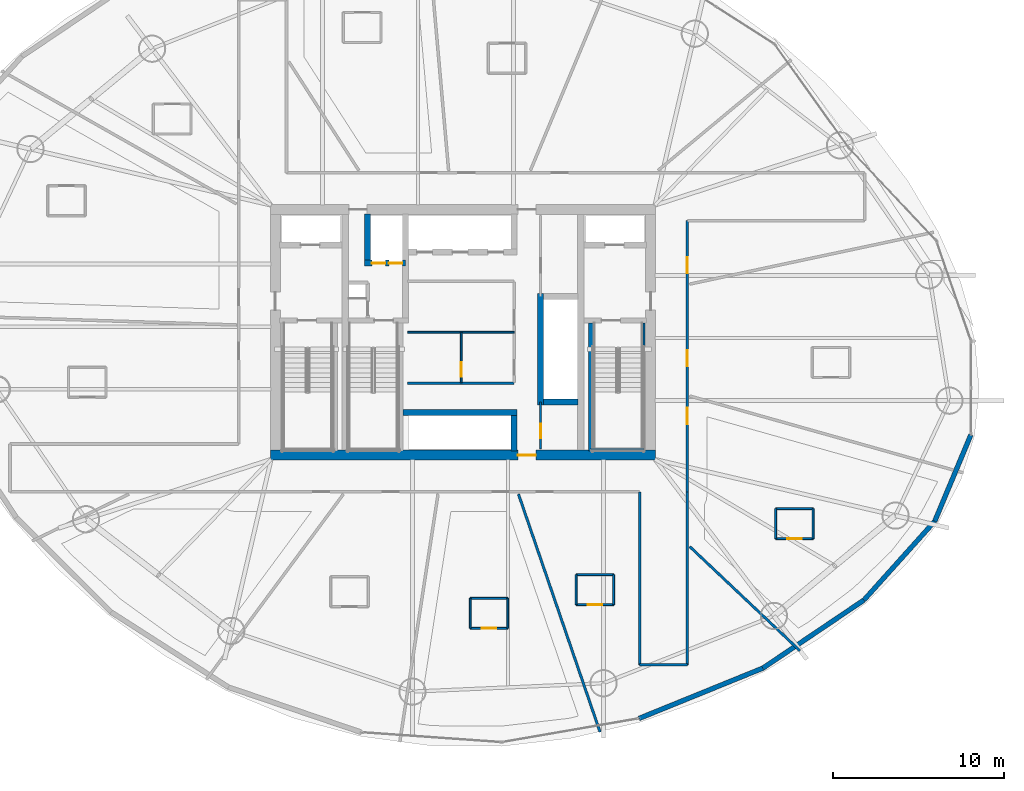
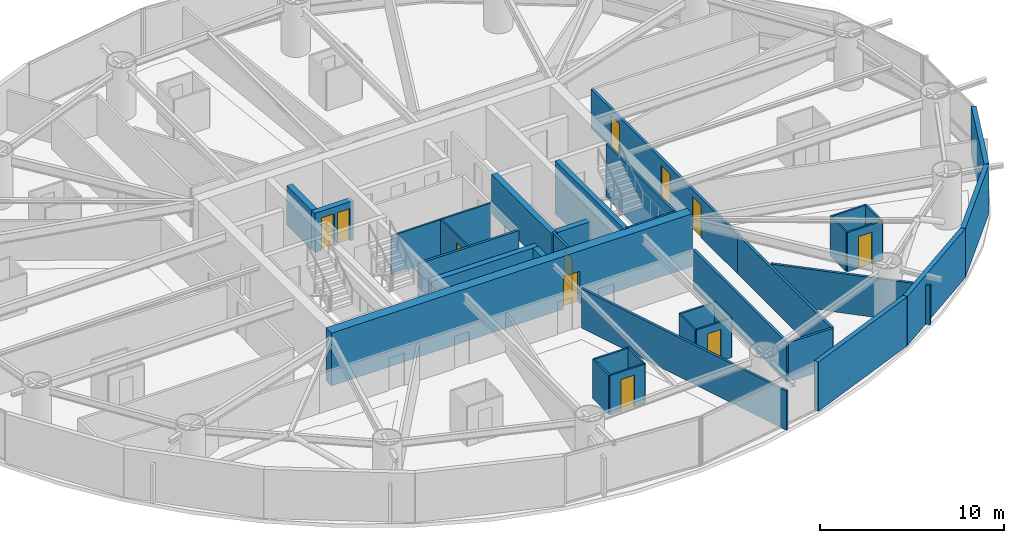
# One storey, part 21 of 27: 36 walls, 11 doors, 11 openings.
"""IFC4 building model written with IfcOpenShell, lengths in metres."""

from ifc_helpers import new_model, si_unit, direction, frame, frame_2d, origin, place, context, subcontext, project, spatial, rectangle, extrude, material, layer, layer_set, type_object, element, fill, save


model = new_model("IFC4")

# Units and contexts
model_context = context("Model", 3, precision=1e-05, world=origin(), true_north=direction((0.0, 1.0)))
body_context = subcontext(model_context, "Body", "Model", "MODEL_VIEW")
ifc_project = project(units=[si_unit("LENGTHUNIT", "METRE"), si_unit("AREAUNIT", "SQUARE_METRE"), si_unit("VOLUMEUNIT", "CUBIC_METRE"), si_unit("PLANEANGLEUNIT", "RADIAN"), si_unit("MASSUNIT", "GRAM", prefix="KILO")], contexts=[model_context])

# Site, building, storey
site_placement = place(None, origin())
site = spatial("IfcSite", under=ifc_project, at=site_placement, CompositionType="ELEMENT")
building_placement = place(site_placement, origin())
building = spatial("IfcBuilding", under=site, at=building_placement, Name="Bramvorn Convention Spire", CompositionType="ELEMENT")
storey_placement = place(building_placement, frame((0.0, 0.0, 79.89990234375)))
storey = spatial("IfcBuildingStorey", under=building, at=storey_placement, Name="L18", CompositionType="ELEMENT", Elevation=79.89990234375)

# Wall, opening, door
ifc_material_1 = material(Name="Concrete C60/70", Category="concrete")
ifc_layer_1 = layer(ifc_material_1, 0.60009765625)
ifc_layer_set_1 = layer_set([ifc_layer_1], Name="Concrete C60/70 - WL-CORE-600")
wall_type_1 = type_object("IfcWallType", Name="WL-CORE-600", PredefinedType="SHEAR", material=ifc_layer_set_1)
wall_1_placement = place(storey_placement, frame((26.699951171875, 18.800048828125, 0.0), z_axis=(0.0, 0.0, 1.0), x_axis=(1.0, 0.0, 0.0)))
wall_1 = element("IfcWall", 1, at=wall_1_placement, inside=storey, type_object=wall_type_1, Name="L18 South RC core shear wall", PredefinedType="SHEAR", context=body_context, shape_type="SweptSolid", body=[
    extrude(rectangle(XDim=22.60009765625, YDim=0.60009765625, at=frame_2d((11.300048828125, 0.0))), origin(), (0.0, 0.0, 1.0), 3.5),
])
opening_1_placement = place(wall_1_placement, frame((14.52001953125, 0.0, 0.0)))
opening_1 = element("IfcOpeningElement", 2, at=opening_1_placement, cuts=wall_1, Name="Opening DL-105", PredefinedType="OPENING", context=body_context, shape_type="SweptSolid", body=[
    extrude(rectangle(XDim=1.050048828125, YDim=2.14990234375, at=frame_2d((0.52490234375, 1.074951171875))), frame((0.0, 0.31005859375, 0.0), z_axis=(0.0, -1.0, 0.0), x_axis=(1.0, 0.0, 0.0)), (0.0, 0.0, 1.0), 0.6201171875),
])
ifc_material_2 = material(Name="Smoke-Sealed Fire Lobby Timber-Core Door", Category="wood")
door_type_1 = type_object("IfcDoorType", Name="DR-LOBBY-1050", OperationType="NOTDEFINED", PredefinedType="DOOR", material=ifc_material_2)
door_1_placement = place(opening_1_placement, origin())
door_1 = element("IfcDoor", 3, at=door_1_placement, inside=storey, type_object=door_type_1, Name="L18 South Lift Lobby fire door", OperationType="SINGLE_SWING_RIGHT", OverallHeight=2.14990234375, OverallWidth=1.050048828125, PredefinedType="DOOR", context=body_context, shape_type="SweptSolid", body=[
    extrude(rectangle(XDim=1.050048828125, YDim=2.14990234375, at=frame_2d((0.52490234375, 1.074951171875))), frame((0.0, 0.02490234375, 0.0), z_axis=(0.0, -1.0, 0.0), x_axis=(1.0, 0.0, 0.0)), (0.0, 0.0, 1.0), 0.050048828125),
])
fill(opening_1, door_1)

# Wall, openings, doors
ifc_material_3 = material(Name="Concrete C50/60", Category="concrete")
ifc_layer_2 = layer(ifc_material_3, 0.35009765625)
ifc_layer_set_2 = layer_set([ifc_layer_2], Name="Concrete C50/60 - WL-CORE-INT-350")
wall_type_2 = type_object("IfcWallType", Name="WL-CORE-INT-350", PredefinedType="SHEAR", material=ifc_layer_set_2)
wall_2_placement = place(storey_placement, frame((32.22998046875, 30.050048828125, 0.0), z_axis=(0.0, 0.0, 1.0), x_axis=(1.0, 0.0, 0.0)))
wall_2 = element("IfcWall", 4, at=wall_2_placement, inside=storey, type_object=wall_type_2, Name="L18 SV1/SV2 shaft front wall", PredefinedType="SHEAR", context=body_context, shape_type="SweptSolid", body=[
    extrude(rectangle(XDim=2.409912109375, YDim=0.35009765625, at=frame_2d((1.205078125, 0.0))), origin(), (0.0, 0.0, 1.0), 2.60009765625),
])
opening_2_placement = place(wall_2_placement, frame((0.419921875, 0.0, 0.0)))
opening_2 = element("IfcOpeningElement", 5, at=opening_2_placement, cuts=wall_2, Name="Opening LD-080", PredefinedType="OPENING", context=body_context, shape_type="SweptSolid", body=[
    extrude(rectangle(XDim=0.800048828125, YDim=2.14990234375, at=frame_2d((0.39990234375, 1.074951171875))), frame((0.0, 0.18505859375, 0.0), z_axis=(0.0, -1.0, 0.0), x_axis=(1.0, 0.0, 0.0)), (0.0, 0.0, 1.0), 0.3701171875),
])
opening_3_placement = place(wall_2_placement, frame((1.419921875, 0.0, 0.0)))
opening_3 = element("IfcOpeningElement", 6, at=opening_3_placement, cuts=wall_2, Name="Opening LD-080", PredefinedType="OPENING", context=body_context, shape_type="SweptSolid", body=[
    extrude(rectangle(XDim=0.800048828125, YDim=2.14990234375, at=frame_2d((0.39990234375, 1.074951171875))), frame((0.0, 0.18505859375, 0.0), z_axis=(0.0, -1.0, 0.0), x_axis=(1.0, 0.0, 0.0)), (0.0, 0.0, 1.0), 0.3701171875),
])
ifc_material_4 = material(Name="Service Lift Bi-Parting Landing Door", Category="steel")
door_type_2 = type_object("IfcDoorType", Name="DR-LIFT-LD-800", OperationType="NOTDEFINED", PredefinedType="DOOR", material=ifc_material_4)
door_2_placement = place(opening_2_placement, origin())
door_2 = element("IfcDoor", 7, at=door_2_placement, inside=storey, type_object=door_type_2, Name="L18 Lift SV1 Sliding Landing Door", OperationType="SLIDING_TO_LEFT", OverallHeight=2.14990234375, OverallWidth=0.800048828125, PredefinedType="DOOR", context=body_context, shape_type="SweptSolid", body=[
    extrude(rectangle(XDim=0.800048828125, YDim=2.14990234375, at=frame_2d((0.39990234375, 1.074951171875))), frame((0.0, 0.02490234375, 0.0), z_axis=(0.0, -1.0, 0.0), x_axis=(1.0, 0.0, 0.0)), (0.0, 0.0, 1.0), 0.050048828125),
])
fill(opening_2, door_2)
door_3_placement = place(opening_3_placement, origin())
door_3 = element("IfcDoor", 8, at=door_3_placement, inside=storey, type_object=door_type_2, Name="L18 Lift SV2 Sliding Landing Door", OperationType="SLIDING_TO_LEFT", OverallHeight=2.14990234375, OverallWidth=0.800048828125, PredefinedType="DOOR", context=body_context, shape_type="SweptSolid", body=[
    extrude(rectangle(XDim=0.800048828125, YDim=2.14990234375, at=frame_2d((0.39990234375, 1.074951171875))), frame((0.0, 0.02490234375, 0.0), z_axis=(0.0, -1.0, 0.0), x_axis=(1.0, 0.0, 0.0)), (0.0, 0.0, 1.0), 0.050048828125),
])
fill(opening_3, door_3)

# Walls
wall_3_placement = place(storey_placement, frame((32.39990234375, 30.219970703125, 0.0), z_axis=(0.0, 0.0, 1.0), x_axis=(0.0, 1.0, 0.0)))
element("IfcWall", 9, at=wall_3_placement, inside=storey, type_object=wall_type_2, Name="L18 SV1 west hoistway wall", PredefinedType="SHEAR", context=body_context, shape_type="SweptSolid", body=[
    extrude(rectangle(XDim=2.72998046875, YDim=0.35009765625, at=frame_2d((1.364990234375, 0.0))), origin(), (0.0, 0.0, 1.0), 2.60009765625),
])
wall_4_placement = place(storey_placement, frame((42.550048828125, 21.72998046875, 0.0), z_axis=(0.0, 0.0, 1.0), x_axis=(0.0, 1.0, 0.0)))
element("IfcWall", 10, at=wall_4_placement, inside=storey, type_object=wall_type_2, Name="L18 High-rise lift bank west wall", PredefinedType="SHEAR", context=body_context, shape_type="SweptSolid", body=[
    extrude(rectangle(XDim=6.5400390625, YDim=0.35009765625, at=frame_2d((3.27001953125, 0.0))), origin(), (0.0, 0.0, 1.0), 2.60009765625),
])
wall_5_placement = place(storey_placement, frame((42.719970703125, 21.89990234375, 0.0), z_axis=(0.0, 0.0, 1.0), x_axis=(1.0, 0.0, 0.0)))
element("IfcWall", 11, at=wall_5_placement, inside=storey, type_object=wall_type_2, Name="L18 High-rise lift bank south wall", PredefinedType="SHEAR", context=body_context, shape_type="SweptSolid", body=[
    extrude(rectangle(XDim=2.030029296875, YDim=0.35009765625, at=frame_2d((1.01513671875, 0.0))), origin(), (0.0, 0.0, 1.0), 2.60009765625),
])
wall_6_placement = place(storey_placement, frame((34.489990234375, 21.300048828125, 0.0), z_axis=(0.0, 0.0, 1.0), x_axis=(1.0, 0.0, 0.0)))
element("IfcWall", 12, at=wall_6_placement, inside=storey, type_object=wall_type_2, Name="L18 Mid-rise bank north landing wall", PredefinedType="SHEAR", context=body_context, shape_type="SweptSolid", body=[
    extrude(rectangle(XDim=6.679931640625, YDim=0.35009765625, at=frame_2d((3.33984375, 0.0))), origin(), (0.0, 0.0, 1.0), 2.60009765625),
])
wall_7_placement = place(storey_placement, frame((41.0, 19.050048828125, 0.0), z_axis=(0.0, 0.0, 1.0), x_axis=(0.0, 1.0, 0.0)))
element("IfcWall", 13, at=wall_7_placement, inside=storey, type_object=wall_type_2, Name="L18 Mid-rise bank east cheek wall", PredefinedType="SHEAR", context=body_context, shape_type="SweptSolid", body=[
    extrude(rectangle(XDim=2.079833984375, YDim=0.35009765625, at=frame_2d((1.0400390625, 0.0))), origin(), (0.0, 0.0, 1.0), 2.60009765625),
])
ifc_material_5 = material(Name="Precast Concrete C40/50 with Bronze Terracotta Rainscreen", Category="masonry")
ifc_layer_3 = layer(ifc_material_5, 0.300048828125)
ifc_layer_set_3 = layer_set([ifc_layer_3], Name="Precast Concrete C40/50 with Bronze Terracotta Rainscreen - WL-EXT-BRONZE-300")
wall_type_3 = type_object("IfcWallType", Name="WL-EXT-BRONZE-300", PredefinedType="SOLIDWALL", material=ifc_layer_set_3)
wall_8_placement = place(storey_placement, frame((55.585693359375, 6.310546875, 0.0), z_axis=(0.0, 0.0, 1.0), x_axis=(-0.926415021548, -0.376503928067, 0.0)))
element("IfcWall", 14, at=wall_8_placement, inside=storey, type_object=wall_type_3, Name="L18 expressed bronze Gothic lancet pier wall 21", PredefinedType="SOLIDWALL", context=body_context, shape_type="SweptSolid", body=[
    extrude(rectangle(XDim=7.8447265625, YDim=0.280029296875, at=frame_2d((3.92236328125, 0.0))), origin(), (0.0, 0.0, 1.0), 3.25),
])
wall_9_placement = place(storey_placement, frame((61.510009765625, 10.301025390625, 0.0), z_axis=(0.0, 0.0, 1.0), x_axis=(-0.829395880277, -0.558661322967, 0.0)))
element("IfcWall", 15, at=wall_9_placement, inside=storey, type_object=wall_type_3, Name="L18 expressed bronze Gothic lancet pier wall 22", PredefinedType="SOLIDWALL", context=body_context, shape_type="SweptSolid", body=[
    extrude(rectangle(XDim=7.142822265625, YDim=0.280029296875, at=frame_2d((3.5712890625, 0.0))), origin(), (0.0, 0.0, 1.0), 3.25),
])
wall_10_placement = place(storey_placement, frame((65.66015625, 14.923095703125, 0.0), z_axis=(0.0, 0.0, 1.0), x_axis=(-0.668100062794, -0.744071438838, 0.0)))
element("IfcWall", 16, at=wall_10_placement, inside=storey, type_object=wall_type_3, Name="L18 expressed bronze Gothic lancet pier wall 23", PredefinedType="SOLIDWALL", context=body_context, shape_type="SweptSolid", body=[
    extrude(rectangle(XDim=6.2119140625, YDim=0.280029296875, at=frame_2d((3.10595703125, 0.0))), origin(), (0.0, 0.0, 1.0), 3.25),
])
wall_11_placement = place(storey_placement, frame((67.780517578125, 19.9951171875, 0.0), z_axis=(0.0, 0.0, 1.0), x_axis=(-0.385703037269, -0.922622982069, 0.0)))
element("IfcWall", 17, at=wall_11_placement, inside=storey, type_object=wall_type_3, Name="L18 expressed bronze Gothic lancet pier wall 24", PredefinedType="SOLIDWALL", context=body_context, shape_type="SweptSolid", body=[
    extrude(rectangle(XDim=5.497314453125, YDim=0.280029296875, at=frame_2d((2.74853515625, 0.0))), origin(), (0.0, 0.0, 1.0), 3.25),
])
ifc_material_6 = material(Name="Lightweight En-Suite & Wet-Wall Partition", Category="gypsum")
ifc_layer_4 = layer(ifc_material_6, 0.110107421875)
ifc_layer_set_4 = layer_set([ifc_layer_4], Name="Lightweight En-Suite & Wet-Wall Partition - WL-PART-110")
wall_type_4 = type_object("IfcWallType", Name="WL-PART-110", PredefinedType="PARTITIONING", material=ifc_layer_set_4)
wall_12_placement = place(storey_placement, frame((34.75, 26.0, 0.0), z_axis=(0.0, 0.0, 1.0), x_axis=(1.0, 0.0, 0.0)))
element("IfcWall", 18, at=wall_12_placement, inside=storey, type_object=wall_type_4, Name="L18 KA horizontal core divider", PredefinedType="PARTITIONING", context=body_context, shape_type="SweptSolid", body=[
    extrude(rectangle(XDim=6.25, YDim=0.110107421875, at=frame_2d((3.125, 0.0))), origin(), (0.0, 0.0, 1.0), 2.60009765625),
])

# Wall, opening, door
wall_13_placement = place(storey_placement, frame((37.89990234375, 23.050048828125, 0.0), z_axis=(0.0, 0.0, 1.0), x_axis=(0.0, 1.0, 0.0)))
wall_13 = element("IfcWall", 19, at=wall_13_placement, inside=storey, type_object=wall_type_4, Name="L18 KA restroom subwall", PredefinedType="PARTITIONING", context=body_context, shape_type="SweptSolid", body=[
    extrude(rectangle(XDim=2.949951171875, YDim=0.110107421875, at=frame_2d((1.47509765625, 0.0))), origin(), (0.0, 0.0, 1.0), 2.60009765625),
])
opening_4_placement = place(wall_13_placement, frame((0.35009765625, 0.0, 0.0)))
opening_4 = element("IfcOpeningElement", 20, at=opening_4_placement, cuts=wall_13, Name="Opening DC-085", PredefinedType="OPENING", context=body_context, shape_type="SweptSolid", body=[
    extrude(rectangle(XDim=0.85009765625, YDim=2.10009765625, at=frame_2d((0.425048828125, 1.050048828125))), frame((0.0, 0.06494140625, 0.0), z_axis=(0.0, -1.0, 0.0), x_axis=(1.0, 0.0, 0.0)), (0.0, 0.0, 1.0), 0.130126953125),
])
ifc_material_7 = material(Name="Fire-Rated Core Washroom & IDF Door", Category="wood")
door_type_3 = type_object("IfcDoorType", Name="DR-CORE-850", OperationType="NOTDEFINED", PredefinedType="DOOR", material=ifc_material_7)
door_4_placement = place(opening_4_placement, origin())
door_4 = element("IfcDoor", 21, at=door_4_placement, inside=storey, type_object=door_type_3, Name="L18 Core IT Closet door", OperationType="SINGLE_SWING_LEFT", OverallHeight=2.10009765625, OverallWidth=0.85009765625, PredefinedType="DOOR", context=body_context, shape_type="SweptSolid", body=[
    extrude(rectangle(XDim=0.85009765625, YDim=2.10009765625, at=frame_2d((0.425048828125, 1.050048828125))), frame((0.0, 0.02490234375, 0.0), z_axis=(0.0, -1.0, 0.0), x_axis=(1.0, 0.0, 0.0)), (0.0, 0.0, 1.0), 0.050048828125),
])
fill(opening_4, door_4)

wall_14_placement = place(storey_placement, frame((38.426513671875, 8.6416015625, 0.0), z_axis=(0.0, 0.0, 1.0), x_axis=(1.0, 0.0, 0.0)))
wall_14 = element("IfcWall", 22, at=wall_14_placement, inside=storey, type_object=wall_type_4, Name="Hotel Suite 1810 en-suite south wall", PredefinedType="PARTITIONING", context=body_context, shape_type="SweptSolid", body=[
    extrude(rectangle(XDim=2.199951171875, YDim=0.110107421875, at=frame_2d((1.10009765625, 0.0))), origin(), (0.0, 0.0, 1.0), 2.60009765625),
])
opening_5_placement = place(wall_14_placement, frame((0.679931640625, 0.0, 0.0)))
opening_5 = element("IfcOpeningElement", 23, at=opening_5_placement, cuts=wall_14, Name="Opening DI-085", PredefinedType="OPENING", context=body_context, shape_type="SweptSolid", body=[
    extrude(rectangle(XDim=0.85009765625, YDim=2.10009765625, at=frame_2d((0.425048828125, 1.050048828125))), frame((0.0, 0.06494140625, 0.0), z_axis=(0.0, -1.0, 0.0), x_axis=(1.0, 0.0, 0.0)), (0.0, 0.0, 1.0), 0.130126953125),
])
ifc_material_8 = material(Name="En-Suite & Restroom Privacy Door", Category="wood")
door_type_4 = type_object("IfcDoorType", Name="DR-INT-850", OperationType="NOTDEFINED", PredefinedType="DOOR", material=ifc_material_8)
door_5_placement = place(opening_5_placement, origin())
door_5 = element("IfcDoor", 24, at=door_5_placement, inside=storey, type_object=door_type_4, Name="Hotel Suite 1810 En-Suite Bathroom door", OperationType="SINGLE_SWING_LEFT", OverallHeight=2.10009765625, OverallWidth=0.85009765625, PredefinedType="DOOR", context=body_context, shape_type="SweptSolid", body=[
    extrude(rectangle(XDim=0.85009765625, YDim=2.10009765625, at=frame_2d((0.425048828125, 1.050048828125))), frame((0.0, 0.02490234375, 0.0), z_axis=(0.0, -1.0, 0.0), x_axis=(1.0, 0.0, 0.0)), (0.0, 0.0, 1.0), 0.050048828125),
])
fill(opening_5, door_5)

# Walls
wall_15_placement = place(storey_placement, frame((38.426513671875, 10.401611328125, 0.0), z_axis=(0.0, 0.0, 1.0), x_axis=(1.0, 0.0, 0.0)))
element("IfcWall", 25, at=wall_15_placement, inside=storey, type_object=wall_type_4, Name="Hotel Suite 1810 en-suite north wall", PredefinedType="PARTITIONING", context=body_context, shape_type="SweptSolid", body=[
    extrude(rectangle(XDim=2.199951171875, YDim=0.110107421875, at=frame_2d((1.10009765625, 0.0))), origin(), (0.0, 0.0, 1.0), 2.60009765625),
])
for number, where, z_axis, x_axis, name in (
    (26, (38.426513671875, 8.6416015625, 0.0), (0.0, 0.0, 1.0), (0.0, 1.0, 0.0), "Hotel Suite 1810 en-suite west wall"),
    (27, (40.62646484375, 8.6416015625, 0.0), (0.0, 0.0, 1.0), (0.0, 1.0, 0.0), "Hotel Suite 1810 en-suite east wall"),
):
    element("IfcWall", number, at=place(storey_placement, frame(where, z_axis=z_axis, x_axis=x_axis)), inside=storey, type_object=wall_type_4, Name=name, PredefinedType="PARTITIONING", context=body_context, shape_type="SweptSolid", body=[
        extrude(rectangle(XDim=1.760009765625, YDim=0.110107421875, at=frame_2d((0.8798828125, 0.0))), origin(), (0.0, 0.0, 1.0), 2.60009765625),
    ])

# Wall, opening, door
wall_16_placement = place(storey_placement, frame((44.635009765625, 10.034912109375, 0.0), z_axis=(0.0, 0.0, 1.0), x_axis=(1.0, 0.0, 0.0)))
wall_16 = element("IfcWall", 28, at=wall_16_placement, inside=storey, type_object=wall_type_4, Name="Hotel Suite 1811 en-suite south wall", PredefinedType="PARTITIONING", context=body_context, shape_type="SweptSolid", body=[
    extrude(rectangle(XDim=2.199951171875, YDim=0.110107421875, at=frame_2d((1.10009765625, 0.0))), origin(), (0.0, 0.0, 1.0), 2.60009765625),
])
opening_6_placement = place(wall_16_placement, frame((0.679931640625, 0.0, 0.0)))
opening_6 = element("IfcOpeningElement", 29, at=opening_6_placement, cuts=wall_16, Name="Opening DI-085", PredefinedType="OPENING", context=body_context, shape_type="SweptSolid", body=[
    extrude(rectangle(XDim=0.85009765625, YDim=2.10009765625, at=frame_2d((0.425048828125, 1.050048828125))), frame((0.0, 0.06494140625, 0.0), z_axis=(0.0, -1.0, 0.0), x_axis=(1.0, 0.0, 0.0)), (0.0, 0.0, 1.0), 0.130126953125),
])
door_6_placement = place(opening_6_placement, origin())
door_6 = element("IfcDoor", 30, at=door_6_placement, inside=storey, type_object=door_type_4, Name="Hotel Suite 1811 En-Suite Bathroom door", OperationType="SINGLE_SWING_LEFT", OverallHeight=2.10009765625, OverallWidth=0.85009765625, PredefinedType="DOOR", context=body_context, shape_type="SweptSolid", body=[
    extrude(rectangle(XDim=0.85009765625, YDim=2.10009765625, at=frame_2d((0.425048828125, 1.050048828125))), frame((0.0, 0.02490234375, 0.0), z_axis=(0.0, -1.0, 0.0), x_axis=(1.0, 0.0, 0.0)), (0.0, 0.0, 1.0), 0.050048828125),
])
fill(opening_6, door_6)

# Walls
wall_17_placement = place(storey_placement, frame((44.635009765625, 11.794921875, 0.0), z_axis=(0.0, 0.0, 1.0), x_axis=(1.0, 0.0, 0.0)))
element("IfcWall", 31, at=wall_17_placement, inside=storey, type_object=wall_type_4, Name="Hotel Suite 1811 en-suite north wall", PredefinedType="PARTITIONING", context=body_context, shape_type="SweptSolid", body=[
    extrude(rectangle(XDim=2.199951171875, YDim=0.110107421875, at=frame_2d((1.10009765625, 0.0))), origin(), (0.0, 0.0, 1.0), 2.60009765625),
])
for number, where, z_axis, x_axis, name in (
    (32, (44.635009765625, 10.034912109375, 0.0), (0.0, 0.0, 1.0), (0.0, 1.0, 0.0), "Hotel Suite 1811 en-suite west wall"),
    (33, (46.8349609375, 10.034912109375, 0.0), (0.0, 0.0, 1.0), (0.0, 1.0, 0.0), "Hotel Suite 1811 en-suite east wall"),
):
    element("IfcWall", number, at=place(storey_placement, frame(where, z_axis=z_axis, x_axis=x_axis)), inside=storey, type_object=wall_type_4, Name=name, PredefinedType="PARTITIONING", context=body_context, shape_type="SweptSolid", body=[
        extrude(rectangle(XDim=1.760009765625, YDim=0.110107421875, at=frame_2d((0.8798828125, 0.0))), origin(), (0.0, 0.0, 1.0), 2.60009765625),
    ])

# Wall, opening, door
wall_18_placement = place(storey_placement, frame((56.32861328125, 13.904296875, 0.0), z_axis=(0.0, 0.0, 1.0), x_axis=(1.0, 0.0, 0.0)))
wall_18 = element("IfcWall", 34, at=wall_18_placement, inside=storey, type_object=wall_type_4, Name="Hotel Suite 1812 en-suite south wall", PredefinedType="PARTITIONING", context=body_context, shape_type="SweptSolid", body=[
    extrude(rectangle(XDim=2.2001953125, YDim=0.110107421875, at=frame_2d((1.10009765625, 0.0))), origin(), (0.0, 0.0, 1.0), 2.60009765625),
])
opening_7_placement = place(wall_18_placement, frame((0.679931640625, 0.0, 0.0)))
opening_7 = element("IfcOpeningElement", 35, at=opening_7_placement, cuts=wall_18, Name="Opening DI-085", PredefinedType="OPENING", context=body_context, shape_type="SweptSolid", body=[
    extrude(rectangle(XDim=0.85009765625, YDim=2.10009765625, at=frame_2d((0.425048828125, 1.050048828125))), frame((0.0, 0.06494140625, 0.0), z_axis=(0.0, -1.0, 0.0), x_axis=(1.0, 0.0, 0.0)), (0.0, 0.0, 1.0), 0.130126953125),
])
door_7_placement = place(opening_7_placement, origin())
door_7 = element("IfcDoor", 36, at=door_7_placement, inside=storey, type_object=door_type_4, Name="Hotel Suite 1812 En-Suite Bathroom door", OperationType="SINGLE_SWING_LEFT", OverallHeight=2.10009765625, OverallWidth=0.85009765625, PredefinedType="DOOR", context=body_context, shape_type="SweptSolid", body=[
    extrude(rectangle(XDim=0.85009765625, YDim=2.10009765625, at=frame_2d((0.425048828125, 1.050048828125))), frame((0.0, 0.02490234375, 0.0), z_axis=(0.0, -1.0, 0.0), x_axis=(1.0, 0.0, 0.0)), (0.0, 0.0, 1.0), 0.050048828125),
])
fill(opening_7, door_7)

# Walls
wall_19_placement = place(storey_placement, frame((56.32861328125, 15.664306640625, 0.0), z_axis=(0.0, 0.0, 1.0), x_axis=(1.0, 0.0, 0.0)))
element("IfcWall", 37, at=wall_19_placement, inside=storey, type_object=wall_type_4, Name="Hotel Suite 1812 en-suite north wall", PredefinedType="PARTITIONING", context=body_context, shape_type="SweptSolid", body=[
    extrude(rectangle(XDim=2.2001953125, YDim=0.110107421875, at=frame_2d((1.10009765625, 0.0))), origin(), (0.0, 0.0, 1.0), 2.60009765625),
])
for number, where, z_axis, x_axis, name in (
    (38, (56.32861328125, 13.904296875, 0.0), (0.0, 0.0, 1.0), (0.0, 1.0, 0.0), "Hotel Suite 1812 en-suite west wall"),
    (39, (58.52880859375, 13.904296875, 0.0), (0.0, 0.0, 1.0), (0.0, 1.0, 0.0), "Hotel Suite 1812 en-suite east wall"),
):
    element("IfcWall", number, at=place(storey_placement, frame(where, z_axis=z_axis, x_axis=x_axis)), inside=storey, type_object=wall_type_4, Name=name, PredefinedType="PARTITIONING", context=body_context, shape_type="SweptSolid", body=[
        extrude(rectangle(XDim=1.760009765625, YDim=0.110107421875, at=frame_2d((0.8798828125, 0.0))), origin(), (0.0, 0.0, 1.0), 2.60009765625),
    ])

# Wall, opening, door
ifc_material_9 = material(Name="Metal-Stud Demountable Office Partition", Category="gypsum")
ifc_layer_5 = layer(ifc_material_9, 0.1298828125)
ifc_layer_set_5 = layer_set([ifc_layer_5], Name="Metal-Stud Demountable Office Partition - WL-PART-130")
wall_type_5 = type_object("IfcWallType", Name="WL-PART-130", PredefinedType="PARTITIONING", material=ifc_layer_set_5)
wall_20_placement = place(storey_placement, frame((42.550048828125, 19.14990234375, 0.0), z_axis=(0.0, 0.0, 1.0), x_axis=(0.0, 1.0, 0.0)))
wall_20 = element("IfcWall", 40, at=wall_20_placement, inside=storey, type_object=wall_type_5, Name="L18 KA SE store wall", PredefinedType="PARTITIONING", context=body_context, shape_type="SweptSolid", body=[
    extrude(rectangle(XDim=2.75, YDim=0.1298828125, at=frame_2d((1.375, 0.0))), origin(), (0.0, 0.0, 1.0), 2.60009765625),
])
opening_8_placement = place(wall_20_placement, frame((0.64990234375, 0.0, 0.0)))
opening_8 = element("IfcOpeningElement", 41, at=opening_8_placement, cuts=wall_20, Name="Opening DC-085", PredefinedType="OPENING", context=body_context, shape_type="SweptSolid", body=[
    extrude(rectangle(XDim=0.85009765625, YDim=2.10009765625, at=frame_2d((0.425048828125, 1.050048828125))), frame((0.0, 0.074951171875, 0.0), z_axis=(0.0, -1.0, 0.0), x_axis=(1.0, 0.0, 0.0)), (0.0, 0.0, 1.0), 0.14990234375),
])
door_8_placement = place(opening_8_placement, origin())
door_8 = element("IfcDoor", 42, at=door_8_placement, inside=storey, type_object=door_type_3, Name="L18 Floor Housekeeping & Linen Store door", OperationType="SINGLE_SWING_LEFT", OverallHeight=2.10009765625, OverallWidth=0.85009765625, PredefinedType="DOOR", context=body_context, shape_type="SweptSolid", body=[
    extrude(rectangle(XDim=0.85009765625, YDim=2.10009765625, at=frame_2d((0.425048828125, 1.050048828125))), frame((0.0, 0.02490234375, 0.0), z_axis=(0.0, -1.0, 0.0), x_axis=(1.0, 0.0, 0.0)), (0.0, 0.0, 1.0), 0.050048828125),
])
fill(opening_8, door_8)

# Wall
ifc_material_10 = material(Name="Acoustic Metal-Stud Tenant/Corridor Partition", Category="gypsum")
ifc_layer_6 = layer(ifc_material_10, 0.14990234375)
ifc_layer_set_6 = layer_set([ifc_layer_6], Name="Acoustic Metal-Stud Tenant/Corridor Partition - WL-PART-150")
wall_type_6 = type_object("IfcWallType", Name="WL-PART-150", PredefinedType="PARTITIONING", material=ifc_layer_set_6)
wall_21_placement = place(storey_placement, frame((34.75, 23.0, 0.0), z_axis=(0.0, 0.0, 1.0), x_axis=(1.0, 0.0, 0.0)))
element("IfcWall", 43, at=wall_21_placement, inside=storey, type_object=wall_type_6, Name="L18 Mid-rise lift vestibule north wall", PredefinedType="PARTITIONING", context=body_context, shape_type="SweptSolid", body=[
    extrude(rectangle(XDim=6.25, YDim=0.14990234375, at=frame_2d((3.125, 0.0))), origin(), (0.0, 0.0, 1.0), 2.60009765625),
])

# Wall, openings, doors
wall_22_placement = place(storey_placement, frame((51.14990234375, 16.64990234375, 0.0), z_axis=(0.0, 0.0, 1.0), x_axis=(0.0, 1.0, 0.0)))
wall_22 = element("IfcWall", 44, at=wall_22_placement, inside=storey, type_object=wall_type_6, Name="L18 East ring corridor wall", PredefinedType="PARTITIONING", context=body_context, shape_type="SweptSolid", body=[
    extrude(rectangle(XDim=15.900146484375, YDim=0.14990234375, at=frame_2d((7.9501953125, 0.0))), origin(), (0.0, 0.0, 1.0), 2.60009765625),
])
opening_9_placement = place(wall_22_placement, frame((12.80810546875, 0.0, 0.0)))
opening_9 = element("IfcOpeningElement", 45, at=opening_9_placement, cuts=wall_22, Name="Opening DH-095", PredefinedType="OPENING", context=body_context, shape_type="SweptSolid", body=[
    extrude(rectangle(XDim=0.949951171875, YDim=2.14990234375, at=frame_2d((0.47509765625, 1.074951171875))), frame((0.0, 0.0849609375, 0.0), z_axis=(0.0, -1.0, 0.0), x_axis=(1.0, 0.0, 0.0)), (0.0, 0.0, 1.0), 0.169921875),
])
opening_10_placement = place(wall_22_placement, frame((3.963623046875, 0.0, 0.0)))
opening_10 = element("IfcOpeningElement", 46, at=opening_10_placement, cuts=wall_22, Name="Opening DH-095", PredefinedType="OPENING", context=body_context, shape_type="SweptSolid", body=[
    extrude(rectangle(XDim=0.949951171875, YDim=2.14990234375, at=frame_2d((0.47509765625, 1.074951171875))), frame((0.0, 0.0849609375, 0.0), z_axis=(0.0, -1.0, 0.0), x_axis=(1.0, 0.0, 0.0)), (0.0, 0.0, 1.0), 0.169921875),
])
opening_11_placement = place(wall_22_placement, frame((7.35009765625, 0.0, 0.0)))
opening_11 = element("IfcOpeningElement", 47, at=opening_11_placement, cuts=wall_22, Name="Opening DH-095", PredefinedType="OPENING", context=body_context, shape_type="SweptSolid", body=[
    extrude(rectangle(XDim=0.949951171875, YDim=2.14990234375, at=frame_2d((0.47509765625, 1.074951171875))), frame((0.0, 0.0849609375, 0.0), z_axis=(0.0, -1.0, 0.0), x_axis=(1.0, 0.0, 0.0)), (0.0, 0.0, 1.0), 0.169921875),
])
ifc_material_11 = material(Name="Solid-Core Acoustic Guestroom Entry Door", Category="wood")
door_type_5 = type_object("IfcDoorType", Name="DR-HOTEL-950", OperationType="NOTDEFINED", PredefinedType="DOOR", material=ifc_material_11)
door_9_placement = place(opening_9_placement, origin())
door_9 = element("IfcDoor", 48, at=door_9_placement, inside=storey, type_object=door_type_5, Name="L18 Sky Garden Lounge corridor door", OperationType="SINGLE_SWING_LEFT", OverallHeight=2.14990234375, OverallWidth=0.949951171875, PredefinedType="DOOR", context=body_context, shape_type="SweptSolid", body=[
    extrude(rectangle(XDim=0.949951171875, YDim=2.14990234375, at=frame_2d((0.47509765625, 1.074951171875))), frame((0.0, 0.02490234375, 0.0), z_axis=(0.0, -1.0, 0.0), x_axis=(1.0, 0.0, 0.0)), (0.0, 0.0, 1.0), 0.050048828125),
])
fill(opening_9, door_9)
door_10_placement = place(opening_10_placement, origin())
door_10 = element("IfcDoor", 49, at=door_10_placement, inside=storey, type_object=door_type_5, Name="Hotel Suite 1812 entry door", OperationType="SINGLE_SWING_RIGHT", OverallHeight=2.14990234375, OverallWidth=0.949951171875, PredefinedType="DOOR", context=body_context, shape_type="SweptSolid", body=[
    extrude(rectangle(XDim=0.949951171875, YDim=2.14990234375, at=frame_2d((0.47509765625, 1.074951171875))), frame((0.0, 0.02490234375, 0.0), z_axis=(0.0, -1.0, 0.0), x_axis=(1.0, 0.0, 0.0)), (0.0, 0.0, 1.0), 0.050048828125),
])
fill(opening_10, door_10)
door_11_placement = place(opening_11_placement, origin())
door_11 = element("IfcDoor", 50, at=door_11_placement, inside=storey, type_object=door_type_5, Name="Hotel Suite 1813 entry door", OperationType="SINGLE_SWING_RIGHT", OverallHeight=2.14990234375, OverallWidth=0.949951171875, PredefinedType="DOOR", context=body_context, shape_type="SweptSolid", body=[
    extrude(rectangle(XDim=0.949951171875, YDim=2.14990234375, at=frame_2d((0.47509765625, 1.074951171875))), frame((0.0, 0.02490234375, 0.0), z_axis=(0.0, -1.0, 0.0), x_axis=(1.0, 0.0, 0.0)), (0.0, 0.0, 1.0), 0.050048828125),
])
fill(opening_11, door_11)

# Walls
for number, where, z_axis, x_axis, name in (
    (51, (48.35009765625, 6.5, 0.0), (0.0, 0.0, 1.0), (0.0, 1.0, 0.0), "L18 SE pinwheel wing west wall"),
    (52, (51.14990234375, 6.5, 0.0), (0.0, 0.0, 1.0), (0.0, 1.0, 0.0), "L18 SE pinwheel wing east wall"),
):
    element("IfcWall", number, at=place(storey_placement, frame(where, z_axis=z_axis, x_axis=x_axis)), inside=storey, type_object=wall_type_6, Name=name, PredefinedType="PARTITIONING", context=body_context, shape_type="SweptSolid", body=[
        extrude(rectangle(XDim=10.14990234375, YDim=0.14990234375, at=frame_2d((5.074951171875, 0.0))), origin(), (0.0, 0.0, 1.0), 2.60009765625),
    ])
wall_23_placement = place(storey_placement, frame((48.35009765625, 6.5, 0.0), z_axis=(0.0, 0.0, 1.0), x_axis=(1.0, 0.0, 0.0)))
element("IfcWall", 53, at=wall_23_placement, inside=storey, type_object=wall_type_6, Name="L18 SE pinwheel end wall", PredefinedType="PARTITIONING", context=body_context, shape_type="SweptSolid", body=[
    extrude(rectangle(XDim=2.7998046875, YDim=0.14990234375, at=frame_2d((1.39990234375, 0.0))), origin(), (0.0, 0.0, 1.0), 2.60009765625),
])
wall_24_placement = place(storey_placement, frame((41.25341796875, 16.510009765625, 0.0), z_axis=(0.0, 0.0, 1.0), x_axis=(0.324291313021, -0.945957263464, 0.0)))
element("IfcWall", 54, at=wall_24_placement, inside=storey, type_object=wall_type_6, Name="L18 Guestroom demising wall 11", PredefinedType="PARTITIONING", context=body_context, shape_type="SweptSolid", body=[
    extrude(rectangle(XDim=14.748291015625, YDim=0.14990234375, at=frame_2d((7.3740234375, 0.0))), origin(), (0.0, 0.0, 1.0), 2.60009765625),
])
wall_25_placement = place(storey_placement, frame((51.2900390625, 13.43896484375, 0.0), z_axis=(0.0, 0.0, 1.0), x_axis=(0.72675745836, -0.686894167043, 0.0)))
element("IfcWall", 55, at=wall_25_placement, inside=storey, type_object=wall_type_6, Name="L18 Guestroom demising wall 12", PredefinedType="PARTITIONING", context=body_context, shape_type="SweptSolid", body=[
    extrude(rectangle(XDim=8.89892578125, YDim=0.14990234375, at=frame_2d((4.449462890625, 0.0))), origin(), (0.0, 0.0, 1.0), 2.60009765625),
])
ifc_layer_7 = layer(ifc_material_3, 0.300048828125)
ifc_layer_set_7 = layer_set([ifc_layer_7], Name="Concrete C50/60 - WL-POD-STAIR-300")
wall_type_7 = type_object("IfcWallType", Name="WL-POD-STAIR-300", PredefinedType="SHEAR", material=ifc_layer_set_7)
wall_26_placement = place(storey_placement, frame((45.510009765625, 19.050048828125, 0.0), z_axis=(0.0, 0.0, 1.0), x_axis=(0.0, 1.0, 0.0)))
element("IfcWall", 56, at=wall_26_placement, inside=storey, type_object=wall_type_7, Name="L18 ST2 west bearing wall", PredefinedType="SHEAR", context=body_context, shape_type="SweptSolid", body=[
    extrude(rectangle(XDim=7.5, YDim=0.300048828125, at=frame_2d((3.75, 0.0))), origin(), (0.0, 0.0, 1.0), 3.5),
])
ifc_layer_8 = layer(ifc_material_3, 0.1201171875)
ifc_layer_set_8 = layer_set([ifc_layer_8], Name="Concrete C50/60 - WL-STAIR-RC-120")
wall_type_8 = type_object("IfcWallType", Name="WL-STAIR-RC-120", PredefinedType="SHEAR", material=ifc_layer_set_8)
wall_27_placement = place(storey_placement, frame((48.60498046875, 19.10009765625, 0.0), z_axis=(0.0, 0.0, 1.0), x_axis=(0.0, 1.0, 0.0)))
element("IfcWall", 57, at=wall_27_placement, inside=storey, type_object=wall_type_8, Name="L18 ST2 east bearing shear wall", PredefinedType="SHEAR", context=body_context, shape_type="SweptSolid", body=[
    extrude(rectangle(XDim=7.449951171875, YDim=0.1201171875, at=frame_2d((3.72509765625, 0.0))), origin(), (0.0, 0.0, 1.0), 3.5),
])
wall_28_placement = place(storey_placement, frame((45.510009765625, 19.159912109375, 0.0), z_axis=(0.0, 0.0, 1.0), x_axis=(1.0, 0.0, 0.0)))
element("IfcWall", 58, at=wall_28_placement, inside=storey, type_object=wall_type_8, Name="L18 ST2 south bearing shear wall", PredefinedType="SHEAR", context=body_context, shape_type="SweptSolid", body=[
    extrude(rectangle(XDim=3.094970703125, YDim=0.1201171875, at=frame_2d((1.54736328125, 0.0))), origin(), (0.0, 0.0, 1.0), 3.5),
])

save(model, "model.ifc")
